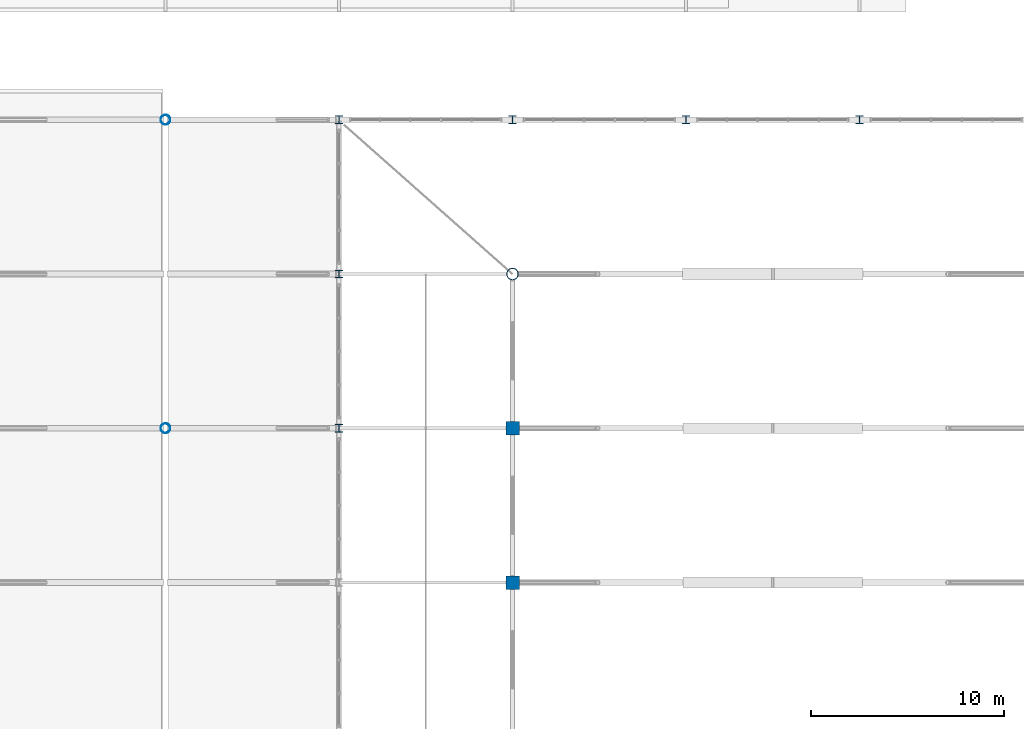
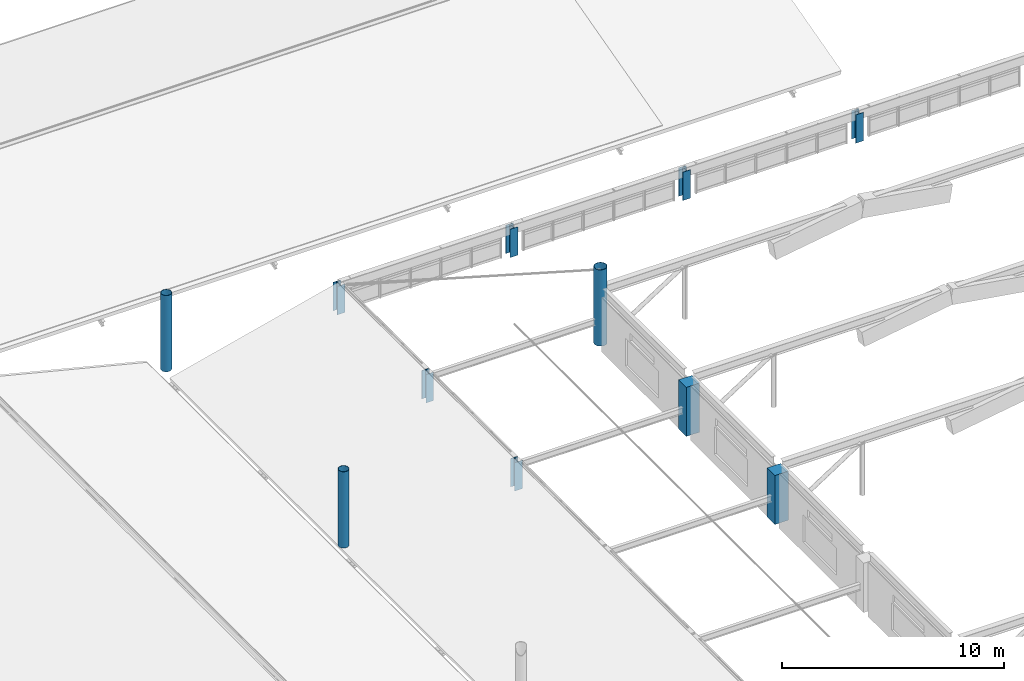
# One storey, part 6 of 128: 11 columns.
"""IFC4 building model written with IfcOpenShell, lengths in metres."""

import ifcopenshell
import ifcopenshell.guid

model = None  # the IFC model being written
_history = None  # IfcOwnerHistory: only IFC2X3 demands one
_inside = {}  # id of a spatial element -> (the spatial element, [elements in it])
_under = {}  # id of a project, library or spatial element -> (it, [spatial elements below it])
_declared = {}  # id of a project -> (the project, [libraries it declares])
_typed = {}  # id of a type object -> (the type object, [elements of that type])
_made_of = {}  # id of a material, layer set ... -> (it, [elements and type objects made of it])


def new_model(schema):
    """Start an empty IFC model of exactly this schema.

    Asked for "IFC4X3", IfcOpenShell would pick the latest addendum, in which some entities
    have other attributes; the version numbers below select the first issue.
    IFC2X3 requires an IfcOwnerHistory on every rooted entity: one is made here for all.
    """
    global model, _history
    if schema == "IFC4X3":
        model = ifcopenshell.file(schema_version=(4, 3, 0, 0))
    else:
        model = ifcopenshell.file(schema=schema)
    _inside.clear()
    _under.clear()
    _declared.clear()
    _typed.clear()
    _made_of.clear()
    _history = None
    if model.schema == "IFC2X3":
        org = make("IfcOrganization", Name="unknown")
        user = make(
            "IfcPersonAndOrganization",
            ThePerson=make("IfcPerson", FamilyName="unknown"),
            TheOrganization=org,
        )
        app = make(
            "IfcApplication",
            ApplicationDeveloper=org,
            Version="unknown",
            ApplicationFullName="unknown",
            ApplicationIdentifier="unknown",
        )
        _history = make(
            "IfcOwnerHistory",
            OwningUser=user,
            OwningApplication=app,
            ChangeAction="ADDED",
            CreationDate=0,
        )
    return model


def make(cls, **values):
    """One entity of the class cls with the attributes given. An attribute that is None is left unset."""
    return model.create_entity(
        cls, **{name: value for name, value in values.items() if value is not None}
    )


def rooted(cls, **values):
    """An entity with a GlobalId (a new one), such as an element, a storey or a relation."""
    return make(cls, GlobalId=ifcopenshell.guid.new(), OwnerHistory=_history, **values)


def si_unit(unit_type, name, prefix=None):
    """IfcSIUnit, for example si_unit("LENGTHUNIT", "METRE", prefix="MILLI")."""
    return make("IfcSIUnit", UnitType=unit_type, Prefix=prefix, Name=name)


def derived_unit(unit_type, elements):
    """IfcDerivedUnit: a product of units, each with its exponent."""
    return make(
        "IfcDerivedUnit",
        Elements=[
            make("IfcDerivedUnitElement", Unit=unit, Exponent=power)
            for unit, power in elements
        ],
        UnitType=unit_type,
    )


def assignment(units):
    """IfcUnitAssignment: the units of a project."""
    return None if units is None else make("IfcUnitAssignment", Units=units)


def point(xyz):
    """IfcCartesianPoint."""
    return None if xyz is None else make("IfcCartesianPoint", Coordinates=xyz)


def direction(xyz):
    """IfcDirection."""
    return None if xyz is None else make("IfcDirection", DirectionRatios=xyz)


def frame(location, z_axis=None, x_axis=None):
    """IfcAxis2Placement3D, a coordinate frame: its origin and axes. An axis left out is left unset."""
    return make(
        "IfcAxis2Placement3D",
        Location=point(location),
        Axis=direction(z_axis),
        RefDirection=direction(x_axis),
    )


def frame_2d(location, x_axis=None):
    """IfcAxis2Placement2D, a coordinate frame in the plane: its origin and x axis."""
    return make(
        "IfcAxis2Placement2D", Location=point(location), RefDirection=direction(x_axis)
    )


def origin():
    """The frame at (0, 0, 0) with its axes left unset."""
    return frame((0.0, 0.0, 0.0))


def origin_2d():
    """The frame at (0, 0) in the plane with its x axis left unset."""
    return frame_2d((0.0, 0.0))


def place(relative_to, where):
    """IfcLocalPlacement: puts the frame where relative to a parent placement (None: the world)."""
    return make(
        "IfcLocalPlacement", PlacementRelTo=relative_to, RelativePlacement=where
    )


def context(
    kind, dimensions, precision=None, world=None, true_north=None, identifier=None
):
    """IfcGeometricRepresentationContext, for example the 3D "Model" context."""
    return make(
        "IfcGeometricRepresentationContext",
        ContextIdentifier=identifier,
        ContextType=kind,
        CoordinateSpaceDimension=dimensions,
        Precision=precision,
        WorldCoordinateSystem=world,
        TrueNorth=true_north,
    )


def subcontext(parent, identifier, kind, view, scale=None):
    """IfcGeometricRepresentationSubContext, for example "Body" below "Model"."""
    return make(
        "IfcGeometricRepresentationSubContext",
        ContextIdentifier=identifier,
        ContextType=kind,
        ParentContext=parent,
        TargetScale=scale,
        TargetView=view,
    )


def project(units=None, contexts=None):
    """IfcProject with its units and contexts."""
    return rooted(
        "IfcProject",
        Name="project",
        RepresentationContexts=contexts,
        UnitsInContext=assignment(units),
    )


def spatial(cls, under=None, at=None, **own):
    """A site, building, storey or space (cls), placed at a placement, below another one or the project."""
    s = rooted(cls, ObjectPlacement=at, **own)
    if under is not None:
        _under.setdefault(under.id(), (under, []))[1].append(s)
    return s


def profile(cls, at=None, kind="AREA", **sizes):
    """A parametric profile (cls). Its sizes go by their IFC names, for example OverallWidth=200.0."""
    return make(cls, ProfileType=kind, Position=at, **sizes)


def rectangle(**sizes):
    """IfcRectangleProfileDef."""
    return profile("IfcRectangleProfileDef", **sizes)


def hollow_circle(**sizes):
    """IfcCircleHollowProfileDef."""
    return profile("IfcCircleHollowProfileDef", **sizes)


def i_section(**sizes):
    """IfcIShapeProfileDef."""
    return profile("IfcIShapeProfileDef", **sizes)


def extrude(swept, where, along, depth):
    """IfcExtrudedAreaSolid: the profile swept, set in the frame where, extruded along a direction by depth."""
    return make(
        "IfcExtrudedAreaSolid",
        SweptArea=swept,
        Position=where,
        ExtrudedDirection=direction(along),
        Depth=depth,
    )


def shape(context_of_items, identifier, shape_type, items):
    """IfcShapeRepresentation: the items that make up one representation, for example the "Body"."""
    return make(
        "IfcShapeRepresentation",
        ContextOfItems=context_of_items,
        RepresentationIdentifier=identifier,
        RepresentationType=shape_type,
        Items=items,
    )


def material(Name=None, Category=None):
    """IfcMaterial."""
    return make("IfcMaterial", Name=Name, Category=Category)


def material_profile(
    of_material, cross_section, Name=None, Category=None, Priority=None
):
    """IfcMaterialProfile: a cross section and its material."""
    return make(
        "IfcMaterialProfile",
        Name=Name,
        Material=of_material,
        Profile=cross_section,
        Priority=Priority,
        Category=Category,
    )


def profile_set(profiles, Name=None, composite=None):
    """IfcMaterialProfileSet."""
    return make(
        "IfcMaterialProfileSet",
        Name=Name,
        MaterialProfiles=profiles,
        CompositeProfile=composite,
    )


def made_of(thing, what):
    """Note that an element or type object is made of a material, layer set ...; save() writes the relation."""
    if what is not None:
        _made_of.setdefault(what.id(), (what, []))[1].append(thing)
    return thing


def type_object(cls, material=None, **own):
    """A type object (cls), such as IfcWallType, which elements share."""
    return made_of(rooted(cls, **own), material)


def element(
    cls,
    number,
    at=None,
    inside=None,
    cuts=None,
    type_object=None,
    material=None,
    context=None,
    identifier="Body",
    shape_type=None,
    held_by="IfcProductDefinitionShape",
    body=None,
    shapes=None,
    **own,
):
    """One element of the class cls, such as IfcWall. Its Tag is "e" and its number.

    at: its placement. inside: the storey or other place that contains it. cuts: it is an
    opening in that element (IfcRelVoidsElement). A single representation is given by context,
    identifier, shape_type and body (its items); several are given by shapes. held_by: the class
    of the entity that holds the representations. save() writes the other relations.
    """
    e = rooted(cls, Tag="e%d" % number, ObjectPlacement=at, **own)
    if body is not None:
        shapes = [shape(context, identifier, shape_type, body)]
    if shapes is not None:
        e.Representation = make(held_by, Representations=shapes)
    if inside is not None:
        _inside.setdefault(inside.id(), (inside, []))[1].append(e)
    if cuts is not None:
        rooted(
            "IfcRelVoidsElement", RelatingBuildingElement=cuts, RelatedOpeningElement=e
        )
    if type_object is not None:
        _typed.setdefault(type_object.id(), (type_object, []))[1].append(e)
    return made_of(e, material)


def aggregate(whole, parts):
    """IfcRelAggregates: a whole, such as a stair, and the parts it consists of."""
    return rooted("IfcRelAggregates", RelatingObject=whole, RelatedObjects=parts)


def save(model, path):
    """Write the relations noted so far, then the file.

    IfcRelAggregates (storeys below a building ...), IfcRelContainedInSpatialStructure (elements
    in a storey), IfcRelDefinesByType, IfcRelAssociatesMaterial and IfcRelDeclares: one each for
    every whole, place, type object, material and project.
    """
    for whole, parts in _under.values():
        aggregate(whole, parts)
    for where, things in _inside.values():
        rooted(
            "IfcRelContainedInSpatialStructure",
            RelatedElements=things,
            RelatingStructure=where,
        )
    for kind, things in _typed.values():
        rooted("IfcRelDefinesByType", RelatedObjects=things, RelatingType=kind)
    for what, things in _made_of.values():
        rooted("IfcRelAssociatesMaterial", RelatedObjects=things, RelatingMaterial=what)
    for by, libraries in _declared.values():
        rooted("IfcRelDeclares", RelatingContext=by, RelatedDefinitions=libraries)
    model.write(path)


model = new_model("IFC4")

# Units and contexts
model_context = context("Model", 3, precision=1e-05, world=origin(), true_north=direction((0.0, 1.0)))
body_context = subcontext(model_context, "Body", "Model", "MODEL_VIEW")
ifc_project = project(units=[si_unit("LENGTHUNIT", "METRE"), si_unit("AREAUNIT", "SQUARE_METRE"), si_unit("VOLUMEUNIT", "CUBIC_METRE"), si_unit("PLANEANGLEUNIT", "RADIAN"), si_unit("MASSUNIT", "GRAM", prefix="KILO"), derived_unit("THERMALTRANSMITTANCEUNIT", [(si_unit("MASSUNIT", "GRAM", prefix="KILO"), 1), (si_unit("TIMEUNIT", "SECOND"), -3), (si_unit("THERMODYNAMICTEMPERATUREUNIT", "KELVIN"), -1)])], contexts=[model_context])

# Site, building, storey
site_placement = place(None, origin())
site = spatial("IfcSite", under=ifc_project, at=site_placement, CompositionType="ELEMENT")
building_placement = place(site_placement, origin())
building = spatial("IfcBuilding", under=site, at=building_placement, Name="Zhenchuan Archway Interchange", CompositionType="ELEMENT")
storey_placement = place(building_placement, frame((0.0, 0.0, 14.39990234375)))
storey = spatial("IfcBuildingStorey", under=building, at=storey_placement, Name="L03", CompositionType="ELEMENT", Elevation=14.39990234375)

# Columns
ifc_material_1 = material(Name="Concrete C40", Category="concrete")
ifc_material_profile_1 = material_profile(ifc_material_1, rectangle(XDim=0.699951171875, YDim=0.699951171875, at=origin_2d()), Name="RC 700x700")
ifc_profile_set_1 = profile_set([ifc_material_profile_1], Name="Concrete C40")
column_type_1 = type_object("IfcColumnType", Name="COL_RC_700", PredefinedType="COLUMN", material=ifc_profile_set_1)
for number, where, z_axis, x_axis, name in (
    (1, (36.0, 64.0, 0.0), (0.0, 0.0, 1.0), (1.0, 0.0, 0.0), "Concourse clerestory arch pier 5/J (L03)"),
    (2, (36.0, 72.0, 0.0), (0.0, 0.0, 1.0), (1.0, 0.0, 0.0), "Concourse clerestory arch pier 5/K (L03)"),
):
    element("IfcColumn", number, at=place(storey_placement, frame(where, z_axis=z_axis, x_axis=x_axis)), inside=storey, type_object=column_type_1, Name=name, PredefinedType="COLUMN", context=body_context, shape_type="SweptSolid", body=[
        extrude(rectangle(XDim=0.699951171875, YDim=0.699951171875, at=origin_2d()), origin(), (0.0, 0.0, 1.0), 2.7001953125),
    ])
ifc_material_2 = material(Name="Steel Q390", Category="steel")
ifc_material_profile_2 = material_profile(ifc_material_2, hollow_circle(Radius=0.25390625, WallThickness=0.01611328125, at=origin_2d()), Name="CHS 508x16")
ifc_profile_set_2 = profile_set([ifc_material_profile_2], Name="Steel Q390")
column_type_2 = type_object("IfcColumnType", Name="COL_STL_CHS508", PredefinedType="COLUMN", material=ifc_profile_set_2)
for number, where, z_axis, x_axis, name in (
    (3, (18.0, 72.0, 0.0), (0.0, 0.0, 1.0), (1.0, 0.0, 0.0), "Column 3/K (L03)"),
    (4, (18.0, 88.0, 0.0), (0.0, 0.0, 1.0), (1.0, 0.0, 0.0), "Column 3/M (L03)"),
):
    element("IfcColumn", number, at=place(storey_placement, frame(where, z_axis=z_axis, x_axis=x_axis)), inside=storey, type_object=column_type_2, Name=name, PredefinedType="COLUMN", context=body_context, shape_type="SweptSolid", body=[
        extrude(hollow_circle(Radius=0.25390625, WallThickness=0.01611328125, at=origin_2d()), origin(), (0.0, 0.0, 1.0), 4.2001953125),
    ])
ifc_material_profile_3 = material_profile(ifc_material_2, hollow_circle(Radius=0.304931640625, WallThickness=0.02001953125, at=origin_2d()), Name="CHS 610x20")
ifc_profile_set_3 = profile_set([ifc_material_profile_3], Name="Steel Q390")
column_type_3 = type_object("IfcColumnType", Name="COL_STL_CHS610", PredefinedType="COLUMN", material=ifc_profile_set_3)
column_placement = place(storey_placement, frame((36.0, 80.0, 0.0), z_axis=(0.0, 0.0, 1.0), x_axis=(1.0, 0.0, 0.0)))
element("IfcColumn", 5, at=column_placement, inside=storey, type_object=column_type_3, Name="Column 5/L (L03)", PredefinedType="COLUMN", context=body_context, shape_type="SweptSolid", body=[
    extrude(hollow_circle(Radius=0.304931640625, WallThickness=0.02001953125, at=origin_2d()), origin(), (0.0, 0.0, 1.0), 4.2001953125),
])
ifc_material_3 = material(Name="Steel Q355", Category="steel")
ifc_material_profile_4 = material_profile(ifc_material_3, i_section(OverallWidth=0.39990234375, OverallDepth=0.39990234375, WebThickness=0.012939453125, FlangeThickness=0.02099609375, FilletRadius=0.02197265625, at=origin_2d()), Name="HW 400x400")
ifc_profile_set_4 = profile_set([ifc_material_profile_4], Name="Steel Q355")
column_type_4 = type_object("IfcColumnType", Name="COL_STL_HW400", PredefinedType="COLUMN", material=ifc_profile_set_4)
for number, where, z_axis, x_axis, name in (
    (6, (27.0, 72.0, 0.0), (0.0, 0.0, 1.0), (1.0, 0.0, 0.0), "Column 4/K (L03)"),
    (7, (27.0, 80.0, 0.0), (0.0, 0.0, 1.0), (1.0, 0.0, 0.0), "Column 4/L (L03)"),
    (8, (27.0, 88.0, 0.0), (0.0, 0.0, 1.0), (1.0, 0.0, 0.0), "Column 4/M (L03)"),
    (9, (36.0, 88.0, 0.0), (0.0, 0.0, 1.0), (1.0, 0.0, 0.0), "Column 5/M (L03)"),
    (10, (45.0, 88.0, 0.0), (0.0, 0.0, 1.0), (1.0, 0.0, 0.0), "Column 6/M (L03)"),
    (11, (54.0, 88.0, 0.0), (0.0, 0.0, 1.0), (1.0, 0.0, 0.0), "Column 7/M (L03)"),
):
    element("IfcColumn", number, at=place(storey_placement, frame(where, z_axis=z_axis, x_axis=x_axis)), inside=storey, type_object=column_type_4, Name=name, PredefinedType="COLUMN", context=body_context, shape_type="SweptSolid", body=[
        extrude(i_section(OverallWidth=0.39990234375, OverallDepth=0.39990234375, WebThickness=0.012939453125, FlangeThickness=0.02099609375, FilletRadius=0.02197265625, at=origin_2d()), origin(), (0.0, 0.0, 1.0), 1.56005859375),
    ])

save(model, "model.ifc")
